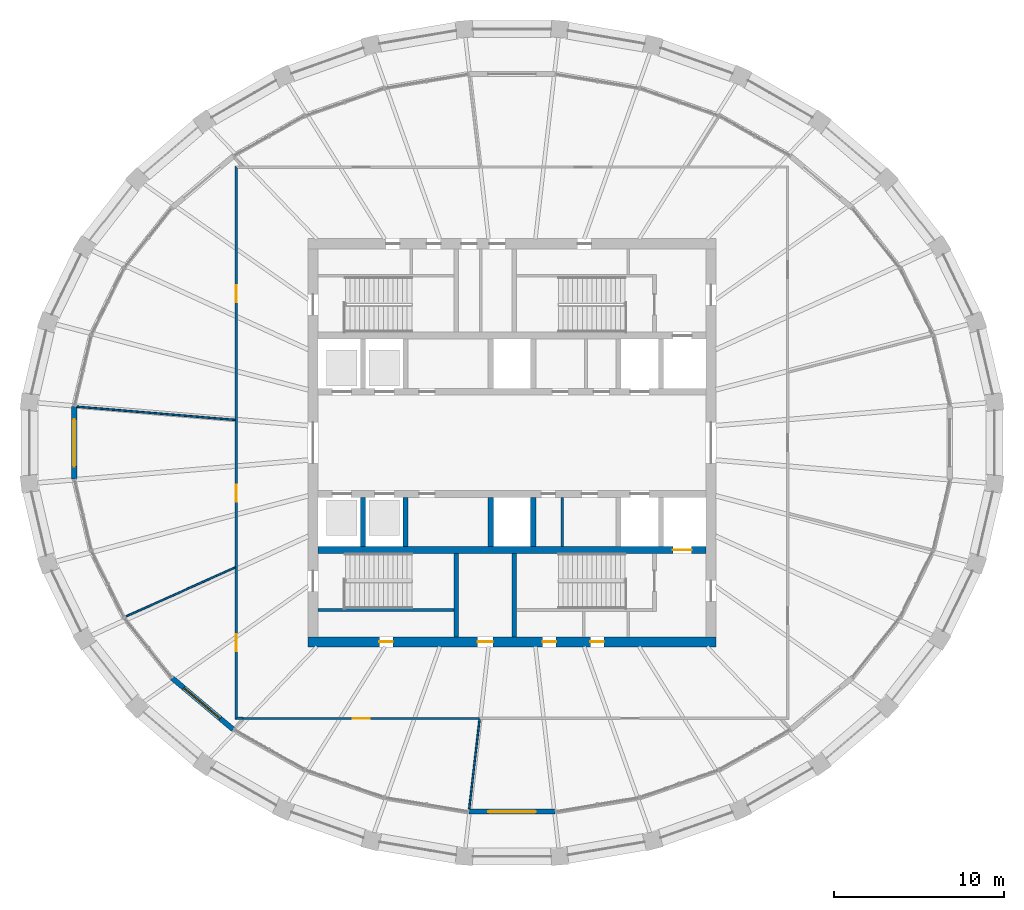
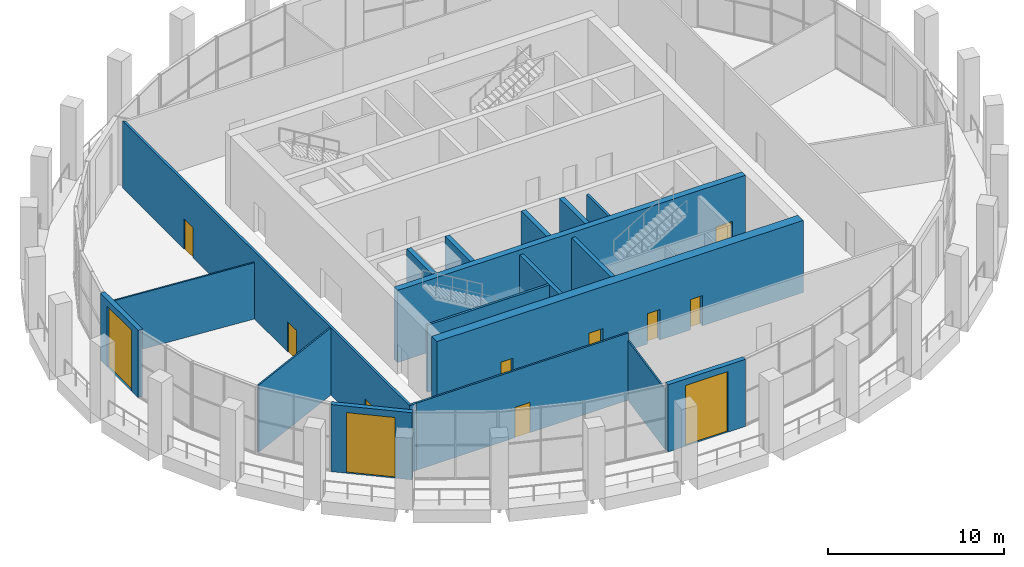
# One storey, part 10 of 16: 19 walls, 12 doors, 12 openings.
"""IFC4 building model written with IfcOpenShell, lengths in metres."""

from ifc_helpers import new_model, si_unit, direction, frame, frame_2d, origin, place, context, subcontext, project, spatial, polyline, rectangle, outline, extrude, material, layer, layer_set, type_object, element, fill, save


model = new_model("IFC4")

# Units and contexts
model_context = context("Model", 3, precision=1e-05, world=origin(), true_north=direction((0.0, 1.0)))
body_context = subcontext(model_context, "Body", "Model", "MODEL_VIEW")
ifc_project = project(units=[si_unit("LENGTHUNIT", "METRE"), si_unit("AREAUNIT", "SQUARE_METRE"), si_unit("VOLUMEUNIT", "CUBIC_METRE"), si_unit("PLANEANGLEUNIT", "RADIAN"), si_unit("MASSUNIT", "GRAM", prefix="KILO")], contexts=[model_context])

# Site, building, storey
site_placement = place(None, origin())
site = spatial("IfcSite", under=ifc_project, at=site_placement, CompositionType="ELEMENT")
building_placement = place(site_placement, origin())
building = spatial("IfcBuilding", under=site, at=building_placement, Name="Halqa Exchange Tower", CompositionType="ELEMENT")
storey_placement = place(building_placement, frame((0.0, 0.0, 333.300048828125)))
storey = spatial("IfcBuildingStorey", under=building, at=storey_placement, Name="L78", CompositionType="ELEMENT", Elevation=333.300048828125)

# Wall, openings, doors
ifc_material_1 = material(Name="Fire-rated gypsum board")
ifc_layer_1 = layer(ifc_material_1, 0.14990234375)
ifc_layer_set_1 = layer_set([ifc_layer_1], Name="Fire-rated gypsum board")
wall_type_1 = type_object("IfcWallType", Name="Fire partition EI 60 150", PredefinedType="PARTITIONING", material=ifc_layer_set_1)
wall_1_placement = place(storey_placement, frame((-16.199951171875, -16.27490234375, 0.0), z_axis=(0.0, 0.0, 1.0), x_axis=(0.0, 1.0, 0.0)))
wall_1 = element("IfcWall", 1, at=wall_1_placement, inside=storey, type_object=wall_type_1, Name="L78-PWL-002", PredefinedType="PARTITIONING", context=body_context, shape_type="SweptSolid", body=[
    extrude(outline(polyline([(0.14990234375, -0.074951171875), (2.046875, -0.074951171875), (3.944091796875, -0.074951171875), (5.841064453125, -0.074951171875), (7.738037109375, -0.074951171875), (9.63525390625, -0.074951171875), (11.5322265625, -0.074951171875), (13.42919921875, -0.074951171875), (15.326416015625, -0.074951171875), (17.223388671875, -0.074951171875), (19.12060546875, -0.074951171875), (21.017578125, -0.074951171875), (22.91455078125, -0.074951171875), (24.811767578125, -0.074951171875), (26.708740234375, -0.074951171875), (28.605712890625, -0.074951171875), (30.5029296875, -0.074951171875), (32.39990234375, -0.074951171875), (32.5498046875, 0.074951171875), (30.635009765625, 0.074951171875), (28.720458984375, 0.074951171875), (26.8056640625, 0.074951171875), (24.89111328125, 0.074951171875), (22.976318359375, 0.074951171875), (21.0615234375, 0.074951171875), (19.14697265625, 0.074951171875), (17.232177734375, 0.074951171875), (15.317626953125, 0.074951171875), (13.40283203125, 0.074951171875), (11.48828125, 0.074951171875), (9.573486328125, 0.074951171875), (7.65869140625, 0.074951171875), (5.744140625, 0.074951171875), (3.829345703125, 0.074951171875), (1.914794921875, 0.074951171875), (0.0, 0.074951171875), (0.14990234375, -0.074951171875)])), origin(), (0.0, 0.0, 1.0), 4.64990234375),
])
opening_1_placement = place(wall_1_placement, frame((24.544921875, 0.0, 0.0)))
opening_1 = element("IfcOpeningElement", 2, at=opening_1_placement, cuts=wall_1, Name="Opening L78-01", PredefinedType="OPENING", context=body_context, shape_type="SweptSolid", body=[
    extrude(rectangle(XDim=1.0, YDim=2.10009765625, at=frame_2d((0.5, 1.050048828125))), frame((0.0, 0.0869140625, 0.0), z_axis=(0.0, -1.0, 0.0), x_axis=(1.0, 0.0, 0.0)), (0.0, 0.0, 1.0), 0.173828125),
])
opening_2_placement = place(wall_1_placement, frame((12.800048828125, 0.0, 0.0)))
opening_2 = element("IfcOpeningElement", 3, at=opening_2_placement, cuts=wall_1, Name="Opening L78-02", PredefinedType="OPENING", context=body_context, shape_type="SweptSolid", body=[
    extrude(rectangle(XDim=1.0, YDim=2.10009765625, at=frame_2d((0.5, 1.050048828125))), frame((0.0, 0.0869140625, 0.0), z_axis=(0.0, -1.0, 0.0), x_axis=(1.0, 0.0, 0.0)), (0.0, 0.0, 1.0), 0.173828125),
])
opening_3_placement = place(wall_1_placement, frame((4.030029296875, 0.0, 0.0)))
opening_3 = element("IfcOpeningElement", 4, at=opening_3_placement, cuts=wall_1, Name="Opening L78-03", PredefinedType="OPENING", context=body_context, shape_type="SweptSolid", body=[
    extrude(rectangle(XDim=1.0, YDim=2.10009765625, at=frame_2d((0.5, 1.050048828125))), frame((0.0, 0.0869140625, 0.0), z_axis=(0.0, -1.0, 0.0), x_axis=(1.0, 0.0, 0.0)), (0.0, 0.0, 1.0), 0.173828125),
])
ifc_material_2 = material(Name="Steel fire door leaf", Category="steel")
door_type_1 = type_object("IfcDoorType", Name="Fire door FD30S 1000 x 2100", OperationType="SINGLE_SWING_LEFT", PredefinedType="DOOR", material=ifc_material_2)
door_1_placement = place(opening_1_placement, origin())
door_1 = element("IfcDoor", 5, at=door_1_placement, inside=storey, type_object=door_type_1, Name="L78-IDR-001", OperationType="SINGLE_SWING_RIGHT", OverallHeight=2.10009765625, OverallWidth=1.0, PredefinedType="DOOR", context=body_context, shape_type="SweptSolid", body=[
    extrude(rectangle(XDim=1.0, YDim=2.10009765625, at=frame_2d((0.5, 1.050048828125))), frame((0.0, 0.02490234375, 0.0), z_axis=(0.0, -1.0, 0.0), x_axis=(1.0, 0.0, 0.0)), (0.0, 0.0, 1.0), 0.050048828125),
])
fill(opening_1, door_1)
door_2_placement = place(opening_2_placement, origin())
door_2 = element("IfcDoor", 6, at=door_2_placement, inside=storey, type_object=door_type_1, Name="L78-IDR-002", OperationType="SINGLE_SWING_RIGHT", OverallHeight=2.10009765625, OverallWidth=1.0, PredefinedType="DOOR", context=body_context, shape_type="SweptSolid", body=[
    extrude(rectangle(XDim=1.0, YDim=2.10009765625, at=frame_2d((0.5, 1.050048828125))), frame((0.0, 0.02490234375, 0.0), z_axis=(0.0, -1.0, 0.0), x_axis=(1.0, 0.0, 0.0)), (0.0, 0.0, 1.0), 0.050048828125),
])
fill(opening_2, door_2)
door_3_placement = place(opening_3_placement, origin())
door_3 = element("IfcDoor", 7, at=door_3_placement, inside=storey, type_object=door_type_1, Name="L78-IDR-003", OperationType="SINGLE_SWING_RIGHT", OverallHeight=2.10009765625, OverallWidth=1.0, PredefinedType="DOOR", context=body_context, shape_type="SweptSolid", body=[
    extrude(rectangle(XDim=1.0, YDim=2.10009765625, at=frame_2d((0.5, 1.050048828125))), frame((0.0, 0.02490234375, 0.0), z_axis=(0.0, -1.0, 0.0), x_axis=(1.0, 0.0, 0.0)), (0.0, 0.0, 1.0), 0.050048828125),
])
fill(opening_3, door_3)

# Wall
wall_2_placement = place(storey_placement, frame((-15.800048828125, -16.199951171875, 0.0), z_axis=(0.0, 0.0, 1.0), x_axis=(-1.0, 0.0, 0.0)))
element("IfcWall", 8, at=wall_2_placement, inside=storey, type_object=wall_type_1, Name="L78-PWL-007", PredefinedType="PARTITIONING", context=body_context, shape_type="SweptSolid", body=[
    extrude(outline(polyline([(0.0, -0.074951171875), (0.324951171875, -0.074951171875), (0.474853515625, 0.074951171875), (0.0, 0.074951171875), (0.0, -0.074951171875)])), origin(), (0.0, 0.0, 1.0), 4.64990234375),
])

# Wall, opening, door
ifc_material_3 = material(Name="Fire-rated glazing", Category="glass")
ifc_layer_2 = layer(ifc_material_3, 0.1201171875)
ifc_layer_set_2 = layer_set([ifc_layer_2], Name="Fire-rated glazing")
wall_type_2 = type_object("IfcWallType", Name="Glazed fire partition EI 60 120", PredefinedType="PARTITIONING", material=ifc_layer_set_2)
wall_3_placement = place(storey_placement, frame((-1.89990234375, -16.199951171875, 0.0), z_axis=(0.0, 0.0, 1.0), x_axis=(-1.0, 0.0, 0.0)))
wall_3 = element("IfcWall", 9, at=wall_3_placement, inside=storey, type_object=wall_type_2, Name="L78-PWL-008", PredefinedType="PARTITIONING", context=body_context, shape_type="SweptSolid", body=[
    extrude(rectangle(XDim=13.900146484375, YDim=0.1201171875, at=frame_2d((6.9501953125, 0.0))), origin(), (0.0, 0.0, 1.0), 4.64990234375),
])
opening_4_placement = place(wall_3_placement, frame((6.449951171875, 0.0, 0.0)))
opening_4 = element("IfcOpeningElement", 10, at=opening_4_placement, cuts=wall_3, Name="Opening L78-04", PredefinedType="OPENING", context=body_context, shape_type="SweptSolid", body=[
    extrude(rectangle(XDim=1.0, YDim=2.10009765625, at=frame_2d((0.5, 1.050048828125))), frame((0.0, 0.072021484375, 0.0), z_axis=(0.0, -1.0, 0.0), x_axis=(1.0, 0.0, 0.0)), (0.0, 0.0, 1.0), 0.14404296875),
])
door_4_placement = place(opening_4_placement, origin())
door_4 = element("IfcDoor", 11, at=door_4_placement, inside=storey, type_object=door_type_1, Name="L78-IDR-004", OperationType="SINGLE_SWING_LEFT", OverallHeight=2.10009765625, OverallWidth=1.0, PredefinedType="DOOR", context=body_context, shape_type="SweptSolid", body=[
    extrude(rectangle(XDim=1.0, YDim=2.10009765625, at=frame_2d((0.5, 1.050048828125))), frame((0.0, 0.02490234375, 0.0), z_axis=(0.0, -1.0, 0.0), x_axis=(1.0, 0.0, 0.0)), (0.0, 0.0, 1.0), 0.050048828125),
])
fill(opening_4, door_4)

# Walls
ifc_material_4 = material(Name="Gypsum board")
ifc_layer_3 = layer(ifc_material_4, 0.10009765625)
ifc_layer_set_3 = layer_set([ifc_layer_3], Name="Gypsum board")
wall_type_3 = type_object("IfcWallType", Name="Partition 100 gypsum", PredefinedType="PARTITIONING", material=ifc_layer_set_3)
wall_4_placement = place(storey_placement, frame((-16.254638671875, -7.314697265625, 0.0), z_axis=(0.0, 0.0, 1.0), x_axis=(-0.91207610029, -0.410020959562, 0.0)))
element("IfcWall", 12, at=wall_4_placement, inside=storey, type_object=wall_type_3, Name="L78-PWL-003", PredefinedType="PARTITIONING", context=body_context, shape_type="SweptSolid", body=[
    extrude(outline(polyline([(7.02978515625, -0.050048828125), (7.02978515625, -0.041259765625), (7.0283203125, -0.000732421875), (7.015380859375, 0.050048828125), (5.272705078125, 0.050048828125), (3.530029296875, 0.050048828125), (1.787353515625, 0.050048828125), (0.044921875, 0.050048828125), (0.0, -0.049560546875), (0.0, -0.050048828125), (1.75732421875, -0.050048828125), (3.514892578125, -0.050048828125), (5.2724609375, -0.050048828125), (7.02978515625, -0.050048828125)])), origin(), (0.0, 0.0, 1.0), 4.64990234375),
])
wall_5_placement = place(storey_placement, frame((-16.271240234375, 1.345947265625, 0.0), z_axis=(0.0, 0.0, 1.0), x_axis=(-0.996516652088, 0.083394017243, 0.0)))
element("IfcWall", 13, at=wall_5_placement, inside=storey, type_object=wall_type_3, Name="L78-PWL-004", PredefinedType="PARTITIONING", context=body_context, shape_type="SweptSolid", body=[
    extrude(outline(polyline([(0.008056640625, -0.050048828125), (1.8720703125, -0.050048828125), (3.736328125, -0.050048828125), (5.6005859375, -0.050048828125), (7.46484375, -0.050048828125), (9.328857421875, -0.050048828125), (9.3330078125, -0.022705078125), (9.3330078125, 0.050048828125), (7.46630859375, 0.050048828125), (5.599853515625, 0.050048828125), (3.733154296875, 0.050048828125), (1.86669921875, 0.050048828125), (0.0, 0.050048828125), (0.0, 0.045166015625), (0.008056640625, -0.050048828125)])), origin(), (0.0, 0.0, 1.0), 3.89697265625),
])
wall_6_placement = place(storey_placement, frame((-1.90771484375, -16.26611328125, 0.0), z_axis=(0.0, 0.0, 1.0), x_axis=(-0.11485179238, -0.993382638155, 0.0)))
element("IfcWall", 14, at=wall_6_placement, inside=storey, type_object=wall_type_3, Name="L78-PWL-009", PredefinedType="PARTITIONING", context=body_context, shape_type="SweptSolid", body=[
    extrude(outline(polyline([(5.290771484375, -0.050048828125), (5.290771484375, 0.02294921875), (5.28759765625, 0.050048828125), (3.526123046875, 0.050048828125), (1.7646484375, 0.050048828125), (0.003173828125, 0.050048828125), (0.008056640625, 0.0087890625), (0.0, 0.0078125), (0.0, -0.050048828125), (1.763671875, -0.050048828125), (3.527099609375, -0.050048828125), (5.290771484375, -0.050048828125)])), origin(), (0.0, 0.0, 1.0), 4.14990234375),
])
ifc_layer_4 = layer(ifc_material_4, 0.14990234375)
ifc_layer_set_4 = layer_set([ifc_layer_4], Name="Gypsum board")
wall_type_4 = type_object("IfcWallType", Name="Penthouse riser wall 150 gypsum", PredefinedType="PARTITIONING", material=ifc_layer_set_4)
wall_7_placement = place(storey_placement, frame((2.949951171875, -6.10009765625, 0.0), z_axis=(0.0, 0.0, 1.0), x_axis=(0.0, 1.0, 0.0)))
element("IfcWall", 15, at=wall_7_placement, inside=storey, type_object=wall_type_4, Name="Freed bay partition SE2.950", PredefinedType="PARTITIONING", context=body_context, shape_type="SweptSolid", body=[
    extrude(rectangle(XDim=2.900146484375, YDim=0.14990234375, at=frame_2d((1.4501953125, 0.0))), origin(), (0.0, 0.0, 1.0), 4.64990234375),
])
ifc_material_5 = material(Name="Concrete C60/75", Category="concrete")
ifc_layer_5 = layer(ifc_material_5, 0.300048828125)
ifc_layer_set_5 = layer_set([ifc_layer_5], Name="Concrete C60/75")
wall_type_5 = type_object("IfcWallType", Name="RC core wall 300", PredefinedType="SHEAR", material=ifc_layer_set_5)
for number, where, z_axis, x_axis, name in (
    (16, (-8.75, -6.10009765625, 0.0), (0.0, 0.0, 1.0), (0.0, 1.0, 0.0), "Shaft divider S1"),
    (17, (-6.25, -6.10009765625, 0.0), (0.0, 0.0, 1.0), (0.0, 1.0, 0.0), "Shaft divider S2"),
    (18, (-1.25, -6.10009765625, 0.0), (0.0, 0.0, 1.0), (0.0, 1.0, 0.0), "Shaft divider S4"),
    (19, (1.25, -6.10009765625, 0.0), (0.0, 0.0, 1.0), (0.0, 1.0, 0.0), "Shaft divider S5"),
):
    element("IfcWall", number, at=place(storey_placement, frame(where, z_axis=z_axis, x_axis=x_axis)), inside=storey, type_object=wall_type_5, Name=name, PredefinedType="SHEAR", context=body_context, shape_type="SweptSolid", body=[
        extrude(rectangle(XDim=2.900146484375, YDim=0.300048828125, at=frame_2d((1.4501953125, 0.0))), origin(), (0.0, 0.0, 1.0), 5.0),
    ])

# Wall, opening, door
ifc_layer_6 = layer(ifc_material_5, 0.39990234375)
ifc_layer_set_6 = layer_set([ifc_layer_6], Name="Concrete C60/75")
wall_type_6 = type_object("IfcWallType", Name="RC core wall 400 C60/75", PredefinedType="SHEAR", material=ifc_layer_set_6)
wall_8_placement = place(storey_placement, frame((-11.39990234375, -6.300048828125, 0.0), z_axis=(0.0, 0.0, 1.0), x_axis=(1.0, 0.0, 0.0)))
wall_8 = element("IfcWall", 20, at=wall_8_placement, inside=storey, type_object=wall_type_6, Name="Lift row back wall S", PredefinedType="SHEAR", context=body_context, shape_type="SweptSolid", body=[
    extrude(rectangle(XDim=22.7998046875, YDim=0.39990234375, at=frame_2d((11.39990234375, 0.0))), origin(), (0.0, 0.0, 1.0), 5.0),
])
opening_5_placement = place(wall_8_placement, frame((20.85009765625, 0.0, 0.0)))
opening_5 = element("IfcOpeningElement", 21, at=opening_5_placement, cuts=wall_8, Name="Opening LD-FF2-L78", PredefinedType="OPENING", context=body_context, shape_type="SweptSolid", body=[
    extrude(rectangle(XDim=1.10009765625, YDim=2.10009765625, at=frame_2d((0.550048828125, 1.050048828125))), frame((0.0, 0.2119140625, 0.0), z_axis=(0.0, -1.0, 0.0), x_axis=(1.0, 0.0, 0.0)), (0.0, 0.0, 1.0), 0.423828125),
])
ifc_material_6 = material(Name="Stainless steel", Category="steel")
door_type_2 = type_object("IfcDoorType", Name="Lift landing door 1100 x 2100", OperationType="SLIDING_TO_LEFT", PredefinedType="DOOR", material=ifc_material_6)
door_5_placement = place(opening_5_placement, origin())
door_5 = element("IfcDoor", 22, at=door_5_placement, inside=storey, type_object=door_type_2, Name="Lift landing door FF2", OperationType="SLIDING_TO_LEFT", OverallHeight=2.10009765625, OverallWidth=1.10009765625, PredefinedType="DOOR", context=body_context, shape_type="SweptSolid", body=[
    extrude(rectangle(XDim=1.10009765625, YDim=2.10009765625, at=frame_2d((0.550048828125, 1.050048828125))), frame((0.0, 0.02490234375, 0.0), z_axis=(0.0, -1.0, 0.0), x_axis=(1.0, 0.0, 0.0)), (0.0, 0.0, 1.0), 0.050048828125),
])
fill(opening_5, door_5)

# Wall, openings, doors
ifc_layer_7 = layer(ifc_material_5, 0.60009765625)
ifc_layer_set_7 = layer_set([ifc_layer_7], Name="Concrete C60/75")
wall_type_7 = type_object("IfcWallType", Name="RC core wall 600 C60/75", PredefinedType="SHEAR", material=ifc_layer_set_7)
wall_9_placement = place(storey_placement, frame((-12.0, -11.699951171875, 0.0), z_axis=(0.0, 0.0, 1.0), x_axis=(1.0, 0.0, 0.0)))
wall_9 = element("IfcWall", 23, at=wall_9_placement, inside=storey, type_object=wall_type_7, Name="Core wall south", PredefinedType="SHEAR", context=body_context, shape_type="SweptSolid", body=[
    extrude(rectangle(XDim=24.0, YDim=0.60009765625, at=frame_2d((12.0, 0.0))), origin(), (0.0, 0.0, 1.0), 5.0),
])
opening_6_placement = place(wall_9_placement, frame((9.97509765625, 0.0, 0.0)))
opening_6 = element("IfcOpeningElement", 24, at=opening_6_placement, cuts=wall_9, Name="Opening L78-C22", PredefinedType="OPENING", context=body_context, shape_type="SweptSolid", body=[
    extrude(rectangle(XDim=0.89990234375, YDim=2.10009765625, at=frame_2d((0.449951171875, 1.050048828125))), frame((0.0, 0.31201171875, 0.0), z_axis=(0.0, -1.0, 0.0), x_axis=(1.0, 0.0, 0.0)), (0.0, 0.0, 1.0), 0.6240234375),
])
opening_7_placement = place(wall_9_placement, frame((4.199951171875, 0.0, 0.0)))
opening_7 = element("IfcOpeningElement", 25, at=opening_7_placement, cuts=wall_9, Name="Opening L78-C23", PredefinedType="OPENING", context=body_context, shape_type="SweptSolid", body=[
    extrude(rectangle(XDim=0.800048828125, YDim=2.10009765625, at=frame_2d((0.39990234375, 1.050048828125))), frame((0.0, 0.31201171875, 0.0), z_axis=(0.0, -1.0, 0.0), x_axis=(1.0, 0.0, 0.0)), (0.0, 0.0, 1.0), 0.6240234375),
])
opening_8_placement = place(wall_9_placement, frame((13.800048828125, 0.0, 0.0)))
opening_8 = element("IfcOpeningElement", 26, at=opening_8_placement, cuts=wall_9, Name="Opening L78-C24", PredefinedType="OPENING", context=body_context, shape_type="SweptSolid", body=[
    extrude(rectangle(XDim=0.800048828125, YDim=2.10009765625, at=frame_2d((0.39990234375, 1.050048828125))), frame((0.0, 0.31201171875, 0.0), z_axis=(0.0, -1.0, 0.0), x_axis=(1.0, 0.0, 0.0)), (0.0, 0.0, 1.0), 0.6240234375),
])
opening_9_placement = place(wall_9_placement, frame((16.60009765625, 0.0, 0.0)))
opening_9 = element("IfcOpeningElement", 27, at=opening_9_placement, cuts=wall_9, Name="Opening L78-C25", PredefinedType="OPENING", context=body_context, shape_type="SweptSolid", body=[
    extrude(rectangle(XDim=0.800048828125, YDim=2.10009765625, at=frame_2d((0.39990234375, 1.050048828125))), frame((0.0, 0.31201171875, 0.0), z_axis=(0.0, -1.0, 0.0), x_axis=(1.0, 0.0, 0.0)), (0.0, 0.0, 1.0), 0.6240234375),
])
ifc_material_7 = material(Name="Timber fire door leaf", Category="wood")
door_type_3 = type_object("IfcDoorType", Name="Core room door FD30 900 x 2100", OperationType="SINGLE_SWING_LEFT", PredefinedType="DOOR", material=ifc_material_7)
door_6_placement = place(opening_6_placement, origin())
door_6 = element("IfcDoor", 28, at=door_6_placement, inside=storey, type_object=door_type_3, Name="Core room door", OperationType="SINGLE_SWING_RIGHT", OverallHeight=2.10009765625, OverallWidth=0.89990234375, PredefinedType="DOOR", context=body_context, shape_type="SweptSolid", body=[
    extrude(rectangle(XDim=0.89990234375, YDim=2.10009765625, at=frame_2d((0.449951171875, 1.050048828125))), frame((0.0, 0.02490234375, 0.0), z_axis=(0.0, -1.0, 0.0), x_axis=(1.0, 0.0, 0.0)), (0.0, 0.0, 1.0), 0.050048828125),
])
fill(opening_6, door_6)
door_type_4 = type_object("IfcDoorType", Name="Riser door FD60 800 x 2100", OperationType="SINGLE_SWING_LEFT", PredefinedType="DOOR", material=ifc_material_2)
door_7_placement = place(opening_7_placement, origin())
door_7 = element("IfcDoor", 29, at=door_7_placement, inside=storey, type_object=door_type_4, Name="Core room door", OperationType="SINGLE_SWING_RIGHT", OverallHeight=2.10009765625, OverallWidth=0.800048828125, PredefinedType="DOOR", context=body_context, shape_type="SweptSolid", body=[
    extrude(rectangle(XDim=0.800048828125, YDim=2.10009765625, at=frame_2d((0.39990234375, 1.050048828125))), frame((0.0, 0.02490234375, 0.0), z_axis=(0.0, -1.0, 0.0), x_axis=(1.0, 0.0, 0.0)), (0.0, 0.0, 1.0), 0.050048828125),
])
fill(opening_7, door_7)
door_8_placement = place(opening_8_placement, origin())
door_8 = element("IfcDoor", 30, at=door_8_placement, inside=storey, type_object=door_type_4, Name="Core room door", OperationType="SINGLE_SWING_LEFT", OverallHeight=2.10009765625, OverallWidth=0.800048828125, PredefinedType="DOOR", context=body_context, shape_type="SweptSolid", body=[
    extrude(rectangle(XDim=0.800048828125, YDim=2.10009765625, at=frame_2d((0.39990234375, 1.050048828125))), frame((0.0, 0.02490234375, 0.0), z_axis=(0.0, -1.0, 0.0), x_axis=(1.0, 0.0, 0.0)), (0.0, 0.0, 1.0), 0.050048828125),
])
fill(opening_8, door_8)
door_9_placement = place(opening_9_placement, origin())
door_9 = element("IfcDoor", 31, at=door_9_placement, inside=storey, type_object=door_type_4, Name="Core room door", OperationType="SINGLE_SWING_RIGHT", OverallHeight=2.10009765625, OverallWidth=0.800048828125, PredefinedType="DOOR", context=body_context, shape_type="SweptSolid", body=[
    extrude(rectangle(XDim=0.800048828125, YDim=2.10009765625, at=frame_2d((0.39990234375, 1.050048828125))), frame((0.0, 0.02490234375, 0.0), z_axis=(0.0, -1.0, 0.0), x_axis=(1.0, 0.0, 0.0)), (0.0, 0.0, 1.0), 0.050048828125),
])
fill(opening_9, door_9)

# Walls
ifc_material_8 = material(Name="Concrete C30/37", Category="concrete")
ifc_layer_8 = layer(ifc_material_8, 0.14990234375)
ifc_layer_set_8 = layer_set([ifc_layer_8], Name="Concrete C30/37")
wall_type_8 = type_object("IfcWallType", Name="RC stair wall 150 C30/37", PredefinedType="SHEAR", material=ifc_layer_set_8)
wall_10_placement = place(storey_placement, frame((-11.39990234375, -9.824951171875, 0.0), z_axis=(0.0, 0.0, 1.0), x_axis=(1.0, 0.0, 0.0)))
element("IfcWall", 32, at=wall_10_placement, inside=storey, type_object=wall_type_8, Name="Stair ST1 north wall S", PredefinedType="SHEAR", context=body_context, shape_type="SweptSolid", body=[
    extrude(rectangle(XDim=8.0, YDim=0.14990234375, at=frame_2d((4.0, 0.0))), origin(), (0.0, 0.0, 1.0), 4.64990234375),
])
ifc_layer_9 = layer(ifc_material_8, 0.25)
ifc_layer_set_9 = layer_set([ifc_layer_9], Name="Concrete C30/37")
wall_type_9 = type_object("IfcWallType", Name="RC stair wall 250 C30/37", PredefinedType="SHEAR", material=ifc_layer_set_9)
for number, where, z_axis, x_axis, name in (
    (33, (-3.27490234375, -11.39990234375, 0.0), (0.0, 0.0, 1.0), (0.0, 1.0, 0.0), "Stair ST1 east wall S"),
    (34, (0.125, -11.39990234375, 0.0), (0.0, 0.0, 1.0), (0.0, 1.0, 0.0), "Stair ST2 west wall S"),
):
    element("IfcWall", number, at=place(storey_placement, frame(where, z_axis=z_axis, x_axis=x_axis)), inside=storey, type_object=wall_type_9, Name=name, PredefinedType="SHEAR", context=body_context, shape_type="SweptSolid", body=[
        extrude(rectangle(XDim=4.89990234375, YDim=0.25, at=frame_2d((2.449951171875, 0.0))), origin(), (0.0, 0.0, 1.0), 4.64990234375),
    ])

# Wall, opening, door
ifc_material_9 = material(Name="Limestone cladding", Category="masonry")
ifc_layer_10 = layer(ifc_material_9, 0.0400390625)
ifc_material_10 = material(Name="Ventilated cavity")
ifc_layer_11 = layer(ifc_material_10, 0.030029296875, ventilated=True)
ifc_material_11 = material(Name="Mineral wool insulation")
ifc_layer_12 = layer(ifc_material_11, 0.10009765625)
ifc_layer_13 = layer(ifc_material_8, 0.10009765625)
ifc_material_12 = material(Name="Internal plaster")
ifc_layer_14 = layer(ifc_material_12, 0.030029296875)
ifc_layer_set_10 = layer_set([ifc_layer_10, ifc_layer_11, ifc_layer_12, ifc_layer_13, ifc_layer_14], Name="Stone-faced insulated wall 300")
wall_type_10 = type_object("IfcWallType", Name="Stone-faced insulated wall 300", PredefinedType="STANDARD", material=ifc_layer_set_10)
wall_11_placement = place(storey_placement, frame((-25.726318359375, 2.137451171875, 0.0), z_axis=(0.0, 0.0, 1.0), x_axis=(0.0, -1.0, 0.0)))
wall_11 = element("IfcWall", 35, at=wall_11_placement, inside=storey, type_object=wall_type_10, Name="Glass-line wall 16", PredefinedType="STANDARD", context=body_context, shape_type="SweptSolid", body=[
    extrude(outline(polyline([(0.0, -0.14990234375), (4.27490234375, -0.14990234375), (4.27490234375, 0.14990234375), (0.0, 0.14990234375), (0.0, -0.14990234375)])), origin(), (0.0, 0.0, 1.0), 4.64990234375),
])
opening_10_placement = place(wall_11_placement, frame((0.737548828125, 0.0, 0.0)))
opening_10 = element("IfcOpeningElement", 36, at=opening_10_placement, cuts=wall_11, Name="Opening LGS-F4-04", PredefinedType="OPENING", context=body_context, shape_type="SweptSolid", body=[
    extrude(rectangle(XDim=2.800048828125, YDim=4.199951171875, at=frame_2d((1.39990234375, 2.10009765625))), frame((0.0, 0.162109375, 0.0), z_axis=(0.0, -1.0, 0.0), x_axis=(1.0, 0.0, 0.0)), (0.0, 0.0, 1.0), 0.323974609375),
])
ifc_material_13 = material(Name="Clear low-emissivity glass in aluminium frame", Category="aluminium")
door_type_5 = type_object("IfcDoorType", Name="Glazed sliding balcony door 2800 x 4200", OperationType="DOUBLE_DOOR_SLIDING", PredefinedType="DOOR", material=ifc_material_13)
door_10_placement = place(opening_10_placement, origin())
door_10 = element("IfcDoor", 37, at=door_10_placement, inside=storey, type_object=door_type_5, Name="Loggia door 4", OperationType="DOUBLE_DOOR_SLIDING", OverallHeight=4.199951171875, OverallWidth=2.800048828125, PredefinedType="DOOR", context=body_context, shape_type="SweptSolid", body=[
    extrude(rectangle(XDim=2.800048828125, YDim=4.199951171875, at=frame_2d((1.39990234375, 2.10009765625))), frame((0.0, 0.02490234375, 0.0), z_axis=(0.0, -1.0, 0.0), x_axis=(1.0, 0.0, 0.0)), (0.0, 0.0, 1.0), 0.050048828125),
])
fill(opening_10, door_10)

wall_12_placement = place(storey_placement, frame((-19.974609375, -13.826171875, 0.0), z_axis=(0.0, 0.0, 1.0), x_axis=(0.765128700347, -0.643877373344, 0.0)))
wall_12 = element("IfcWall", 38, at=wall_12_placement, inside=storey, type_object=wall_type_10, Name="Glass-line wall 20", PredefinedType="STANDARD", context=body_context, shape_type="SweptSolid", body=[
    extrude(outline(polyline([(0.0, -0.14990234375), (4.685546875, -0.14990234375), (4.685546875, 0.14990234375), (0.0, 0.14990234375), (0.0, -0.14990234375)])), origin(), (0.0, 0.0, 1.0), 4.64990234375),
])
opening_11_placement = place(wall_12_placement, frame((0.892578125, 0.0, 0.0)))
opening_11 = element("IfcOpeningElement", 39, at=opening_11_placement, cuts=wall_12, Name="Opening LGS-F4-05", PredefinedType="OPENING", context=body_context, shape_type="SweptSolid", body=[
    extrude(rectangle(XDim=2.800048828125, YDim=4.199951171875, at=frame_2d((1.39990234375, 2.10009765625))), frame((0.0, 0.162109375, 0.0), z_axis=(0.0, -1.0, 0.0), x_axis=(1.0, 0.0, 0.0)), (0.0, 0.0, 1.0), 0.323974609375),
])
door_11_placement = place(opening_11_placement, origin())
door_11 = element("IfcDoor", 40, at=door_11_placement, inside=storey, type_object=door_type_5, Name="Loggia door 5", OperationType="DOUBLE_DOOR_SLIDING", OverallHeight=4.199951171875, OverallWidth=2.800048828125, PredefinedType="DOOR", context=body_context, shape_type="SweptSolid", body=[
    extrude(rectangle(XDim=2.800048828125, YDim=4.199951171875, at=frame_2d((1.39990234375, 2.10009765625))), frame((0.0, 0.02490234375, 0.0), z_axis=(0.0, -1.0, 0.0), x_axis=(1.0, 0.0, 0.0)), (0.0, 0.0, 1.0), 0.050048828125),
])
fill(opening_11, door_11)

wall_13_placement = place(storey_placement, frame((-2.531494140625, -21.674560546875, 0.0), z_axis=(0.0, 0.0, 1.0), x_axis=(1.0, 0.0, 0.0)))
wall_13 = element("IfcWall", 41, at=wall_13_placement, inside=storey, type_object=wall_type_10, Name="Glass-line wall 24", PredefinedType="STANDARD", context=body_context, shape_type="SweptSolid", body=[
    extrude(outline(polyline([(0.0, -0.14990234375), (5.06298828125, -0.14990234375), (5.06298828125, 0.14990234375), (0.0, 0.14990234375), (0.0, -0.14990234375)])), origin(), (0.0, 0.0, 1.0), 4.64990234375),
])
opening_12_placement = place(wall_13_placement, frame((1.131591796875, 0.0, 0.0)))
opening_12 = element("IfcOpeningElement", 42, at=opening_12_placement, cuts=wall_13, Name="Opening LGS-F4-06", PredefinedType="OPENING", context=body_context, shape_type="SweptSolid", body=[
    extrude(rectangle(XDim=2.800048828125, YDim=4.199951171875, at=frame_2d((1.39990234375, 2.10009765625))), frame((0.0, 0.162109375, 0.0), z_axis=(0.0, -1.0, 0.0), x_axis=(1.0, 0.0, 0.0)), (0.0, 0.0, 1.0), 0.323974609375),
])
door_12_placement = place(opening_12_placement, origin())
door_12 = element("IfcDoor", 43, at=door_12_placement, inside=storey, type_object=door_type_5, Name="Loggia door 6", OperationType="DOUBLE_DOOR_SLIDING", OverallHeight=4.199951171875, OverallWidth=2.800048828125, PredefinedType="DOOR", context=body_context, shape_type="SweptSolid", body=[
    extrude(rectangle(XDim=2.800048828125, YDim=4.199951171875, at=frame_2d((1.39990234375, 2.10009765625))), frame((0.0, 0.02490234375, 0.0), z_axis=(0.0, -1.0, 0.0), x_axis=(1.0, 0.0, 0.0)), (0.0, 0.0, 1.0), 0.050048828125),
])
fill(opening_12, door_12)

save(model, "model.ifc")
